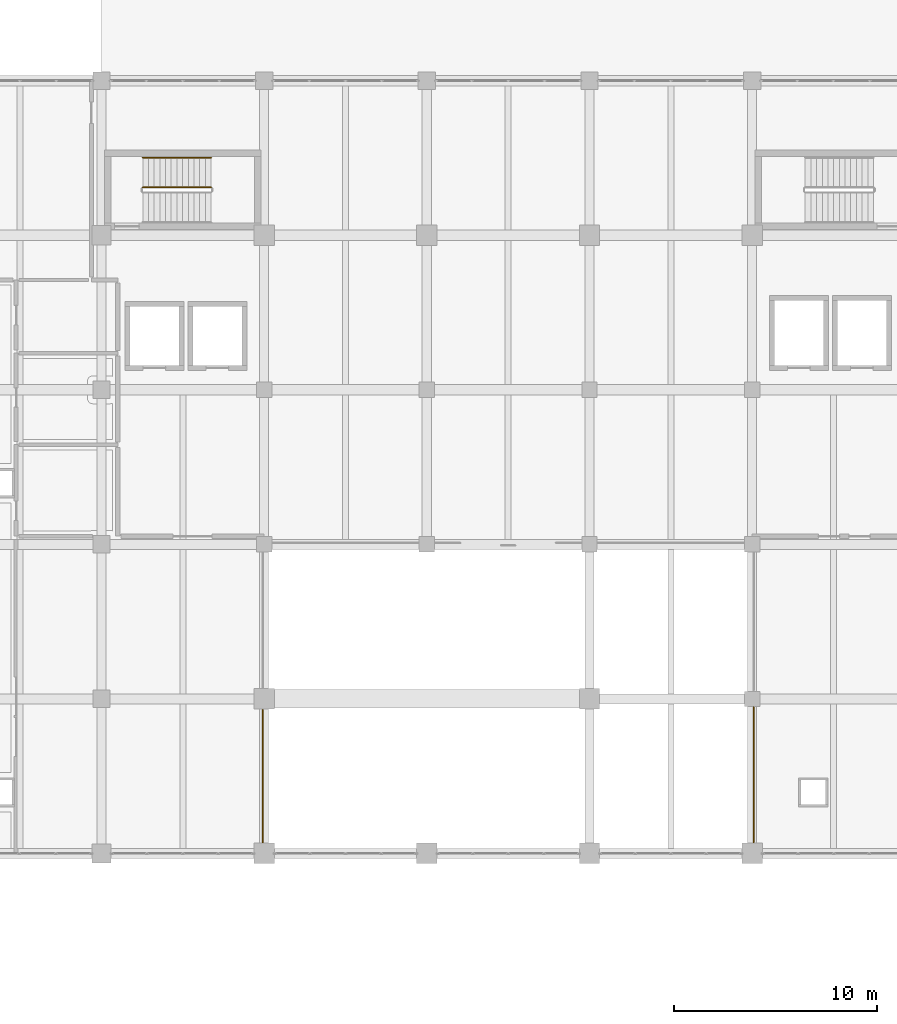
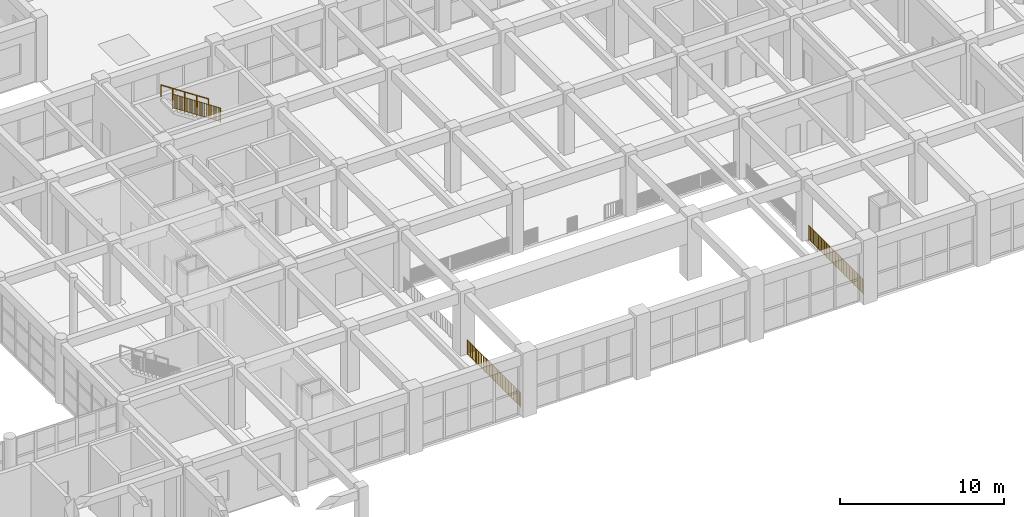
# One storey, part 91 of 101: 4 railings.
"""IFC4 building model written with IfcOpenShell, lengths in metres."""

from ifc_helpers import new_model, si_unit, direction, frame, origin, origin_2d, place, context, subcontext, project, spatial, rectangle, circle, extrude, material, type_object, element, save


model = new_model("IFC4")

# Units and contexts
model_context = context("Model", 3, precision=1e-05, world=origin(), true_north=direction((0.0, 1.0)))
body_context = subcontext(model_context, "Body", "Model", "MODEL_VIEW")
ifc_project = project(units=[si_unit("LENGTHUNIT", "METRE"), si_unit("AREAUNIT", "SQUARE_METRE"), si_unit("VOLUMEUNIT", "CUBIC_METRE"), si_unit("PLANEANGLEUNIT", "RADIAN"), si_unit("MASSUNIT", "GRAM", prefix="KILO")], contexts=[model_context])

# Site, building, storey
site_placement = place(None, origin())
site = spatial("IfcSite", under=ifc_project, at=site_placement, CompositionType="ELEMENT")
building_placement = place(site_placement, origin())
building = spatial("IfcBuilding", under=site, at=building_placement, Name="Zantavel Square City Hall", CompositionType="ELEMENT")
storey_placement = place(building_placement, frame((0.0, 0.0, 5.39990234375)))
storey = spatial("IfcBuildingStorey", under=building, at=storey_placement, Name="L02", CompositionType="ELEMENT", Elevation=5.39990234375)

# Railings
ifc_material_1 = material(Name="Steel ASTM A500 Grade B", Category="steel")
railing_type_1 = type_object("IfcRailingType", Name="Atrium & Gallery Steel Guard Railing 1100mm", PredefinedType="GUARDRAIL", material=ifc_material_1)
railing_1_placement = place(storey_placement, frame((71.929931640625, 37.4599609375, 0.0)))
element("IfcRailing", 1, at=railing_1_placement, inside=storey, type_object=railing_type_1, Name="L02 Atrium Void Guard 010", PredefinedType="GUARDRAIL", context=body_context, shape_type="SweptSolid", body=[
    extrude(circle(Radius=0.02392578125, at=origin_2d()), frame((0.0, 0.0, 1.09619140625), z_axis=(0.0, -1.0, 0.0), x_axis=(1.0, 0.0, 0.0)), (0.0, 0.0, 1.0), 6.52001953125),
    extrude(rectangle(XDim=0.031982421875, YDim=0.031982421875, at=origin_2d()), frame((0.0, 0.0, 0.080078125), z_axis=(0.0, -1.0, 0.0), x_axis=(1.0, 0.0, 0.0)), (0.0, 0.0, 1.0), 6.52001953125),
    extrude(rectangle(XDim=0.02197265625, YDim=0.02197265625, at=origin_2d()), frame((0.0, -0.08935546875, 0.080078125)), (0.0, 0.0, 1.0), 0.991943359375),
    extrude(rectangle(XDim=0.02197265625, YDim=0.02197265625, at=origin_2d()), frame((0.0, -0.1787109375, 0.080078125)), (0.0, 0.0, 1.0), 0.991943359375),
    extrude(rectangle(XDim=0.02197265625, YDim=0.02197265625, at=origin_2d()), frame((0.0, -0.26806640625, 0.080078125)), (0.0, 0.0, 1.0), 0.991943359375),
    extrude(rectangle(XDim=0.02197265625, YDim=0.02197265625, at=origin_2d()), frame((0.0, -0.357177734375, 0.080078125)), (0.0, 0.0, 1.0), 0.991943359375),
    extrude(rectangle(XDim=0.02197265625, YDim=0.02197265625, at=origin_2d()), frame((0.0, -0.446533203125, 0.080078125)), (0.0, 0.0, 1.0), 0.991943359375),
    extrude(rectangle(XDim=0.02197265625, YDim=0.02197265625, at=origin_2d()), frame((0.0, -0.535888671875, 0.080078125)), (0.0, 0.0, 1.0), 0.991943359375),
    extrude(rectangle(XDim=0.02197265625, YDim=0.02197265625, at=origin_2d()), frame((0.0, -0.625244140625, 0.080078125)), (0.0, 0.0, 1.0), 0.991943359375),
    extrude(rectangle(XDim=0.02197265625, YDim=0.02197265625, at=origin_2d()), frame((0.0, -0.714599609375, 0.080078125)), (0.0, 0.0, 1.0), 0.991943359375),
    extrude(rectangle(XDim=0.02197265625, YDim=0.02197265625, at=origin_2d()), frame((0.0, -0.803955078125, 0.080078125)), (0.0, 0.0, 1.0), 0.991943359375),
    extrude(rectangle(XDim=0.02197265625, YDim=0.02197265625, at=origin_2d()), frame((0.0, -0.89306640625, 0.080078125)), (0.0, 0.0, 1.0), 0.991943359375),
    extrude(rectangle(XDim=0.02197265625, YDim=0.02197265625, at=origin_2d()), frame((0.0, -0.982421875, 0.080078125)), (0.0, 0.0, 1.0), 0.991943359375),
    extrude(rectangle(XDim=0.02197265625, YDim=0.02197265625, at=origin_2d()), frame((0.0, -1.1611328125, 0.080078125)), (0.0, 0.0, 1.0), 0.991943359375),
    extrude(rectangle(XDim=0.02197265625, YDim=0.02197265625, at=origin_2d()), frame((0.0, -1.25048828125, 0.080078125)), (0.0, 0.0, 1.0), 0.991943359375),
    extrude(rectangle(XDim=0.02197265625, YDim=0.02197265625, at=origin_2d()), frame((0.0, -1.33984375, 0.080078125)), (0.0, 0.0, 1.0), 0.991943359375),
    extrude(rectangle(XDim=0.02197265625, YDim=0.02197265625, at=origin_2d()), frame((0.0, -1.428955078125, 0.080078125)), (0.0, 0.0, 1.0), 0.991943359375),
    extrude(rectangle(XDim=0.02197265625, YDim=0.02197265625, at=origin_2d()), frame((0.0, -1.518310546875, 0.080078125)), (0.0, 0.0, 1.0), 0.991943359375),
    extrude(rectangle(XDim=0.02197265625, YDim=0.02197265625, at=origin_2d()), frame((0.0, -1.607666015625, 0.080078125)), (0.0, 0.0, 1.0), 0.991943359375),
    extrude(rectangle(XDim=0.02197265625, YDim=0.02197265625, at=origin_2d()), frame((0.0, -1.697021484375, 0.080078125)), (0.0, 0.0, 1.0), 0.991943359375),
    extrude(rectangle(XDim=0.02197265625, YDim=0.02197265625, at=origin_2d()), frame((0.0, -1.786376953125, 0.080078125)), (0.0, 0.0, 1.0), 0.991943359375),
    extrude(rectangle(XDim=0.02197265625, YDim=0.02197265625, at=origin_2d()), frame((0.0, -1.875732421875, 0.080078125)), (0.0, 0.0, 1.0), 0.991943359375),
    extrude(rectangle(XDim=0.02197265625, YDim=0.02197265625, at=origin_2d()), frame((0.0, -1.96484375, 0.080078125)), (0.0, 0.0, 1.0), 0.991943359375),
    extrude(rectangle(XDim=0.02197265625, YDim=0.02197265625, at=origin_2d()), frame((0.0, -2.05419921875, 0.080078125)), (0.0, 0.0, 1.0), 0.991943359375),
    extrude(rectangle(XDim=0.02197265625, YDim=0.02197265625, at=origin_2d()), frame((0.0, -2.23291015625, 0.080078125)), (0.0, 0.0, 1.0), 0.991943359375),
    extrude(rectangle(XDim=0.02197265625, YDim=0.02197265625, at=origin_2d()), frame((0.0, -2.322265625, 0.080078125)), (0.0, 0.0, 1.0), 0.991943359375),
    extrude(rectangle(XDim=0.02197265625, YDim=0.02197265625, at=origin_2d()), frame((0.0, -2.41162109375, 0.080078125)), (0.0, 0.0, 1.0), 0.991943359375),
    extrude(rectangle(XDim=0.02197265625, YDim=0.02197265625, at=origin_2d()), frame((0.0, -2.500732421875, 0.080078125)), (0.0, 0.0, 1.0), 0.991943359375),
    extrude(rectangle(XDim=0.02197265625, YDim=0.02197265625, at=origin_2d()), frame((0.0, -2.590087890625, 0.080078125)), (0.0, 0.0, 1.0), 0.991943359375),
    extrude(rectangle(XDim=0.02197265625, YDim=0.02197265625, at=origin_2d()), frame((0.0, -2.679443359375, 0.080078125)), (0.0, 0.0, 1.0), 0.991943359375),
    extrude(rectangle(XDim=0.02197265625, YDim=0.02197265625, at=origin_2d()), frame((0.0, -2.768798828125, 0.080078125)), (0.0, 0.0, 1.0), 0.991943359375),
    extrude(rectangle(XDim=0.02197265625, YDim=0.02197265625, at=origin_2d()), frame((0.0, -2.858154296875, 0.080078125)), (0.0, 0.0, 1.0), 0.991943359375),
    extrude(rectangle(XDim=0.02197265625, YDim=0.02197265625, at=origin_2d()), frame((0.0, -2.947509765625, 0.080078125)), (0.0, 0.0, 1.0), 0.991943359375),
    extrude(rectangle(XDim=0.02197265625, YDim=0.02197265625, at=origin_2d()), frame((0.0, -3.03662109375, 0.080078125)), (0.0, 0.0, 1.0), 0.991943359375),
    extrude(rectangle(XDim=0.02197265625, YDim=0.02197265625, at=origin_2d()), frame((0.0, -3.1259765625, 0.080078125)), (0.0, 0.0, 1.0), 0.991943359375),
    extrude(rectangle(XDim=0.02197265625, YDim=0.02197265625, at=origin_2d()), frame((0.0, -3.39404296875, 0.080078125)), (0.0, 0.0, 1.0), 0.991943359375),
    extrude(rectangle(XDim=0.02197265625, YDim=0.02197265625, at=origin_2d()), frame((0.0, -3.4833984375, 0.080078125)), (0.0, 0.0, 1.0), 0.991943359375),
    extrude(rectangle(XDim=0.02197265625, YDim=0.02197265625, at=origin_2d()), frame((0.0, -3.572509765625, 0.080078125)), (0.0, 0.0, 1.0), 0.991943359375),
    extrude(rectangle(XDim=0.02197265625, YDim=0.02197265625, at=origin_2d()), frame((0.0, -3.661865234375, 0.080078125)), (0.0, 0.0, 1.0), 0.991943359375),
    extrude(rectangle(XDim=0.02197265625, YDim=0.02197265625, at=origin_2d()), frame((0.0, -3.751220703125, 0.080078125)), (0.0, 0.0, 1.0), 0.991943359375),
    extrude(rectangle(XDim=0.02197265625, YDim=0.02197265625, at=origin_2d()), frame((0.0, -3.840576171875, 0.080078125)), (0.0, 0.0, 1.0), 0.991943359375),
    extrude(rectangle(XDim=0.02197265625, YDim=0.02197265625, at=origin_2d()), frame((0.0, -3.929931640625, 0.080078125)), (0.0, 0.0, 1.0), 0.991943359375),
    extrude(rectangle(XDim=0.02197265625, YDim=0.02197265625, at=origin_2d()), frame((0.0, -4.019287109375, 0.080078125)), (0.0, 0.0, 1.0), 0.991943359375),
    extrude(rectangle(XDim=0.02197265625, YDim=0.02197265625, at=origin_2d()), frame((0.0, -4.1083984375, 0.080078125)), (0.0, 0.0, 1.0), 0.991943359375),
    extrude(rectangle(XDim=0.02197265625, YDim=0.02197265625, at=origin_2d()), frame((0.0, -4.19775390625, 0.080078125)), (0.0, 0.0, 1.0), 0.991943359375),
    extrude(rectangle(XDim=0.02197265625, YDim=0.02197265625, at=origin_2d()), frame((0.0, -4.287109375, 0.080078125)), (0.0, 0.0, 1.0), 0.991943359375),
    extrude(rectangle(XDim=0.02197265625, YDim=0.02197265625, at=origin_2d()), frame((0.0, -4.4658203125, 0.080078125)), (0.0, 0.0, 1.0), 0.991943359375),
    extrude(rectangle(XDim=0.02197265625, YDim=0.02197265625, at=origin_2d()), frame((0.0, -4.55517578125, 0.080078125)), (0.0, 0.0, 1.0), 0.991943359375),
    extrude(rectangle(XDim=0.02197265625, YDim=0.02197265625, at=origin_2d()), frame((0.0, -4.644287109375, 0.080078125)), (0.0, 0.0, 1.0), 0.991943359375),
    extrude(rectangle(XDim=0.02197265625, YDim=0.02197265625, at=origin_2d()), frame((0.0, -4.733642578125, 0.080078125)), (0.0, 0.0, 1.0), 0.991943359375),
    extrude(rectangle(XDim=0.02197265625, YDim=0.02197265625, at=origin_2d()), frame((0.0, -4.822998046875, 0.080078125)), (0.0, 0.0, 1.0), 0.991943359375),
    extrude(rectangle(XDim=0.02197265625, YDim=0.02197265625, at=origin_2d()), frame((0.0, -4.912353515625, 0.080078125)), (0.0, 0.0, 1.0), 0.991943359375),
    extrude(rectangle(XDim=0.02197265625, YDim=0.02197265625, at=origin_2d()), frame((0.0, -5.001708984375, 0.080078125)), (0.0, 0.0, 1.0), 0.991943359375),
    extrude(rectangle(XDim=0.02197265625, YDim=0.02197265625, at=origin_2d()), frame((0.0, -5.091064453125, 0.080078125)), (0.0, 0.0, 1.0), 0.991943359375),
    extrude(rectangle(XDim=0.02197265625, YDim=0.02197265625, at=origin_2d()), frame((0.0, -5.18017578125, 0.080078125)), (0.0, 0.0, 1.0), 0.991943359375),
    extrude(rectangle(XDim=0.02197265625, YDim=0.02197265625, at=origin_2d()), frame((0.0, -5.26953125, 0.080078125)), (0.0, 0.0, 1.0), 0.991943359375),
    extrude(rectangle(XDim=0.02197265625, YDim=0.02197265625, at=origin_2d()), frame((0.0, -5.35888671875, 0.080078125)), (0.0, 0.0, 1.0), 0.991943359375),
    extrude(rectangle(XDim=0.02197265625, YDim=0.02197265625, at=origin_2d()), frame((0.0, -5.53759765625, 0.080078125)), (0.0, 0.0, 1.0), 0.991943359375),
    extrude(rectangle(XDim=0.02197265625, YDim=0.02197265625, at=origin_2d()), frame((0.0, -5.626953125, 0.080078125)), (0.0, 0.0, 1.0), 0.991943359375),
    extrude(rectangle(XDim=0.02197265625, YDim=0.02197265625, at=origin_2d()), frame((0.0, -5.716064453125, 0.080078125)), (0.0, 0.0, 1.0), 0.991943359375),
    extrude(rectangle(XDim=0.02197265625, YDim=0.02197265625, at=origin_2d()), frame((0.0, -5.805419921875, 0.080078125)), (0.0, 0.0, 1.0), 0.991943359375),
    extrude(rectangle(XDim=0.02197265625, YDim=0.02197265625, at=origin_2d()), frame((0.0, -5.894775390625, 0.080078125)), (0.0, 0.0, 1.0), 0.991943359375),
    extrude(rectangle(XDim=0.02197265625, YDim=0.02197265625, at=origin_2d()), frame((0.0, -5.984130859375, 0.080078125)), (0.0, 0.0, 1.0), 0.991943359375),
    extrude(rectangle(XDim=0.02197265625, YDim=0.02197265625, at=origin_2d()), frame((0.0, -6.073486328125, 0.080078125)), (0.0, 0.0, 1.0), 0.991943359375),
    extrude(rectangle(XDim=0.02197265625, YDim=0.02197265625, at=origin_2d()), frame((0.0, -6.162841796875, 0.080078125)), (0.0, 0.0, 1.0), 0.991943359375),
    extrude(rectangle(XDim=0.02197265625, YDim=0.02197265625, at=origin_2d()), frame((0.0, -6.251953125, 0.080078125)), (0.0, 0.0, 1.0), 0.991943359375),
    extrude(rectangle(XDim=0.02197265625, YDim=0.02197265625, at=origin_2d()), frame((0.0, -6.34130859375, 0.080078125)), (0.0, 0.0, 1.0), 0.991943359375),
    extrude(rectangle(XDim=0.02197265625, YDim=0.02197265625, at=origin_2d()), frame((0.0, -6.4306640625, 0.080078125)), (0.0, 0.0, 1.0), 0.991943359375),
    extrude(circle(Radius=0.02099609375, at=origin_2d()), origin(), (0.0, 0.0, 1.0), 1.072021484375),
    extrude(circle(Radius=0.02099609375, at=origin_2d()), frame((0.0, -1.086669921875, 0.0)), (0.0, 0.0, 1.0), 1.072021484375),
    extrude(circle(Radius=0.02099609375, at=origin_2d()), frame((0.0, -2.17333984375, 0.0)), (0.0, 0.0, 1.0), 1.072021484375),
    extrude(circle(Radius=0.02099609375, at=origin_2d()), frame((0.0, -3.260009765625, 0.0)), (0.0, 0.0, 1.0), 1.072021484375),
    extrude(circle(Radius=0.02099609375, at=origin_2d()), frame((0.0, -4.3466796875, 0.0)), (0.0, 0.0, 1.0), 1.072021484375),
    extrude(circle(Radius=0.02099609375, at=origin_2d()), frame((0.0, -5.433349609375, 0.0)), (0.0, 0.0, 1.0), 1.072021484375),
    extrude(circle(Radius=0.02099609375, at=origin_2d()), frame((0.0, -6.52001953125, 0.0)), (0.0, 0.0, 1.0), 1.072021484375),
])
railing_2_placement = place(storey_placement, frame((96.070068359375, 30.93994140625, 0.0)))
element("IfcRailing", 2, at=railing_2_placement, inside=storey, type_object=railing_type_1, Name="L02 Atrium Void Guard 016", PredefinedType="GUARDRAIL", context=body_context, shape_type="SweptSolid", body=[
    extrude(circle(Radius=0.02392578125, at=origin_2d()), frame((0.0, 0.0, 1.09619140625), z_axis=(0.0, 1.0, 0.0), x_axis=(-1.0, 0.0, 0.0)), (0.0, 0.0, 1.0), 6.64501953125),
    extrude(rectangle(XDim=0.031982421875, YDim=0.031982421875, at=origin_2d()), frame((0.0, 0.0, 0.080078125), z_axis=(0.0, 1.0, 0.0), x_axis=(-1.0, 0.0, 0.0)), (0.0, 0.0, 1.0), 6.64501953125),
    extrude(rectangle(XDim=0.02197265625, YDim=0.02197265625, at=origin_2d()), frame((0.0, 0.08984375, 0.080078125)), (0.0, 0.0, 1.0), 0.991943359375),
    extrude(rectangle(XDim=0.02197265625, YDim=0.02197265625, at=origin_2d()), frame((0.0, 0.1796875, 0.080078125)), (0.0, 0.0, 1.0), 0.991943359375),
    extrude(rectangle(XDim=0.02197265625, YDim=0.02197265625, at=origin_2d()), frame((0.0, 0.269287109375, 0.080078125)), (0.0, 0.0, 1.0), 0.991943359375),
    extrude(rectangle(XDim=0.02197265625, YDim=0.02197265625, at=origin_2d()), frame((0.0, 0.359130859375, 0.080078125)), (0.0, 0.0, 1.0), 0.991943359375),
    extrude(rectangle(XDim=0.02197265625, YDim=0.02197265625, at=origin_2d()), frame((0.0, 0.448974609375, 0.080078125)), (0.0, 0.0, 1.0), 0.991943359375),
    extrude(rectangle(XDim=0.02197265625, YDim=0.02197265625, at=origin_2d()), frame((0.0, 0.538818359375, 0.080078125)), (0.0, 0.0, 1.0), 0.991943359375),
    extrude(rectangle(XDim=0.02197265625, YDim=0.02197265625, at=origin_2d()), frame((0.0, 0.628662109375, 0.080078125)), (0.0, 0.0, 1.0), 0.991943359375),
    extrude(rectangle(XDim=0.02197265625, YDim=0.02197265625, at=origin_2d()), frame((0.0, 0.71826171875, 0.080078125)), (0.0, 0.0, 1.0), 0.991943359375),
    extrude(rectangle(XDim=0.02197265625, YDim=0.02197265625, at=origin_2d()), frame((0.0, 0.80810546875, 0.080078125)), (0.0, 0.0, 1.0), 0.991943359375),
    extrude(rectangle(XDim=0.02197265625, YDim=0.02197265625, at=origin_2d()), frame((0.0, 0.89794921875, 0.080078125)), (0.0, 0.0, 1.0), 0.991943359375),
    extrude(rectangle(XDim=0.02197265625, YDim=0.02197265625, at=origin_2d()), frame((0.0, 0.98779296875, 0.080078125)), (0.0, 0.0, 1.0), 0.991943359375),
    extrude(rectangle(XDim=0.02197265625, YDim=0.02197265625, at=origin_2d()), frame((0.0, 1.16748046875, 0.080078125)), (0.0, 0.0, 1.0), 0.991943359375),
    extrude(rectangle(XDim=0.02197265625, YDim=0.02197265625, at=origin_2d()), frame((0.0, 1.257080078125, 0.080078125)), (0.0, 0.0, 1.0), 0.991943359375),
    extrude(rectangle(XDim=0.02197265625, YDim=0.02197265625, at=origin_2d()), frame((0.0, 1.346923828125, 0.080078125)), (0.0, 0.0, 1.0), 0.991943359375),
    extrude(rectangle(XDim=0.02197265625, YDim=0.02197265625, at=origin_2d()), frame((0.0, 1.436767578125, 0.080078125)), (0.0, 0.0, 1.0), 0.991943359375),
    extrude(rectangle(XDim=0.02197265625, YDim=0.02197265625, at=origin_2d()), frame((0.0, 1.526611328125, 0.080078125)), (0.0, 0.0, 1.0), 0.991943359375),
    extrude(rectangle(XDim=0.02197265625, YDim=0.02197265625, at=origin_2d()), frame((0.0, 1.616455078125, 0.080078125)), (0.0, 0.0, 1.0), 0.991943359375),
    extrude(rectangle(XDim=0.02197265625, YDim=0.02197265625, at=origin_2d()), frame((0.0, 1.7060546875, 0.080078125)), (0.0, 0.0, 1.0), 0.991943359375),
    extrude(rectangle(XDim=0.02197265625, YDim=0.02197265625, at=origin_2d()), frame((0.0, 1.7958984375, 0.080078125)), (0.0, 0.0, 1.0), 0.991943359375),
    extrude(rectangle(XDim=0.02197265625, YDim=0.02197265625, at=origin_2d()), frame((0.0, 1.8857421875, 0.080078125)), (0.0, 0.0, 1.0), 0.991943359375),
    extrude(rectangle(XDim=0.02197265625, YDim=0.02197265625, at=origin_2d()), frame((0.0, 1.9755859375, 0.080078125)), (0.0, 0.0, 1.0), 0.991943359375),
    extrude(rectangle(XDim=0.02197265625, YDim=0.02197265625, at=origin_2d()), frame((0.0, 2.0654296875, 0.080078125)), (0.0, 0.0, 1.0), 0.991943359375),
    extrude(rectangle(XDim=0.02197265625, YDim=0.02197265625, at=origin_2d()), frame((0.0, 2.155029296875, 0.080078125)), (0.0, 0.0, 1.0), 0.991943359375),
    extrude(rectangle(XDim=0.02197265625, YDim=0.02197265625, at=origin_2d()), frame((0.0, 2.334716796875, 0.080078125)), (0.0, 0.0, 1.0), 0.991943359375),
    extrude(rectangle(XDim=0.02197265625, YDim=0.02197265625, at=origin_2d()), frame((0.0, 2.424560546875, 0.080078125)), (0.0, 0.0, 1.0), 0.991943359375),
    extrude(rectangle(XDim=0.02197265625, YDim=0.02197265625, at=origin_2d()), frame((0.0, 2.514404296875, 0.080078125)), (0.0, 0.0, 1.0), 0.991943359375),
    extrude(rectangle(XDim=0.02197265625, YDim=0.02197265625, at=origin_2d()), frame((0.0, 2.604248046875, 0.080078125)), (0.0, 0.0, 1.0), 0.991943359375),
    extrude(rectangle(XDim=0.02197265625, YDim=0.02197265625, at=origin_2d()), frame((0.0, 2.69384765625, 0.080078125)), (0.0, 0.0, 1.0), 0.991943359375),
    extrude(rectangle(XDim=0.02197265625, YDim=0.02197265625, at=origin_2d()), frame((0.0, 2.78369140625, 0.080078125)), (0.0, 0.0, 1.0), 0.991943359375),
    extrude(rectangle(XDim=0.02197265625, YDim=0.02197265625, at=origin_2d()), frame((0.0, 2.87353515625, 0.080078125)), (0.0, 0.0, 1.0), 0.991943359375),
    extrude(rectangle(XDim=0.02197265625, YDim=0.02197265625, at=origin_2d()), frame((0.0, 2.96337890625, 0.080078125)), (0.0, 0.0, 1.0), 0.991943359375),
    extrude(rectangle(XDim=0.02197265625, YDim=0.02197265625, at=origin_2d()), frame((0.0, 3.05322265625, 0.080078125)), (0.0, 0.0, 1.0), 0.991943359375),
    extrude(rectangle(XDim=0.02197265625, YDim=0.02197265625, at=origin_2d()), frame((0.0, 3.142822265625, 0.080078125)), (0.0, 0.0, 1.0), 0.991943359375),
    extrude(rectangle(XDim=0.02197265625, YDim=0.02197265625, at=origin_2d()), frame((0.0, 3.232666015625, 0.080078125)), (0.0, 0.0, 1.0), 0.991943359375),
    extrude(rectangle(XDim=0.02197265625, YDim=0.02197265625, at=origin_2d()), frame((0.0, 3.412353515625, 0.080078125)), (0.0, 0.0, 1.0), 0.991943359375),
    extrude(rectangle(XDim=0.02197265625, YDim=0.02197265625, at=origin_2d()), frame((0.0, 3.502197265625, 0.080078125)), (0.0, 0.0, 1.0), 0.991943359375),
    extrude(rectangle(XDim=0.02197265625, YDim=0.02197265625, at=origin_2d()), frame((0.0, 3.591796875, 0.080078125)), (0.0, 0.0, 1.0), 0.991943359375),
    extrude(rectangle(XDim=0.02197265625, YDim=0.02197265625, at=origin_2d()), frame((0.0, 3.681640625, 0.080078125)), (0.0, 0.0, 1.0), 0.991943359375),
    extrude(rectangle(XDim=0.02197265625, YDim=0.02197265625, at=origin_2d()), frame((0.0, 3.771484375, 0.080078125)), (0.0, 0.0, 1.0), 0.991943359375),
    extrude(rectangle(XDim=0.02197265625, YDim=0.02197265625, at=origin_2d()), frame((0.0, 3.861328125, 0.080078125)), (0.0, 0.0, 1.0), 0.991943359375),
    extrude(rectangle(XDim=0.02197265625, YDim=0.02197265625, at=origin_2d()), frame((0.0, 3.951171875, 0.080078125)), (0.0, 0.0, 1.0), 0.991943359375),
    extrude(rectangle(XDim=0.02197265625, YDim=0.02197265625, at=origin_2d()), frame((0.0, 4.040771484375, 0.080078125)), (0.0, 0.0, 1.0), 0.991943359375),
    extrude(rectangle(XDim=0.02197265625, YDim=0.02197265625, at=origin_2d()), frame((0.0, 4.130615234375, 0.080078125)), (0.0, 0.0, 1.0), 0.991943359375),
    extrude(rectangle(XDim=0.02197265625, YDim=0.02197265625, at=origin_2d()), frame((0.0, 4.220458984375, 0.080078125)), (0.0, 0.0, 1.0), 0.991943359375),
    extrude(rectangle(XDim=0.02197265625, YDim=0.02197265625, at=origin_2d()), frame((0.0, 4.310302734375, 0.080078125)), (0.0, 0.0, 1.0), 0.991943359375),
    extrude(rectangle(XDim=0.02197265625, YDim=0.02197265625, at=origin_2d()), frame((0.0, 4.489990234375, 0.080078125)), (0.0, 0.0, 1.0), 0.991943359375),
    extrude(rectangle(XDim=0.02197265625, YDim=0.02197265625, at=origin_2d()), frame((0.0, 4.57958984375, 0.080078125)), (0.0, 0.0, 1.0), 0.991943359375),
    extrude(rectangle(XDim=0.02197265625, YDim=0.02197265625, at=origin_2d()), frame((0.0, 4.66943359375, 0.080078125)), (0.0, 0.0, 1.0), 0.991943359375),
    extrude(rectangle(XDim=0.02197265625, YDim=0.02197265625, at=origin_2d()), frame((0.0, 4.75927734375, 0.080078125)), (0.0, 0.0, 1.0), 0.991943359375),
    extrude(rectangle(XDim=0.02197265625, YDim=0.02197265625, at=origin_2d()), frame((0.0, 4.84912109375, 0.080078125)), (0.0, 0.0, 1.0), 0.991943359375),
    extrude(rectangle(XDim=0.02197265625, YDim=0.02197265625, at=origin_2d()), frame((0.0, 4.93896484375, 0.080078125)), (0.0, 0.0, 1.0), 0.991943359375),
    extrude(rectangle(XDim=0.02197265625, YDim=0.02197265625, at=origin_2d()), frame((0.0, 5.028564453125, 0.080078125)), (0.0, 0.0, 1.0), 0.991943359375),
    extrude(rectangle(XDim=0.02197265625, YDim=0.02197265625, at=origin_2d()), frame((0.0, 5.118408203125, 0.080078125)), (0.0, 0.0, 1.0), 0.991943359375),
    extrude(rectangle(XDim=0.02197265625, YDim=0.02197265625, at=origin_2d()), frame((0.0, 5.208251953125, 0.080078125)), (0.0, 0.0, 1.0), 0.991943359375),
    extrude(rectangle(XDim=0.02197265625, YDim=0.02197265625, at=origin_2d()), frame((0.0, 5.298095703125, 0.080078125)), (0.0, 0.0, 1.0), 0.991943359375),
    extrude(rectangle(XDim=0.02197265625, YDim=0.02197265625, at=origin_2d()), frame((0.0, 5.387939453125, 0.080078125)), (0.0, 0.0, 1.0), 0.991943359375),
    extrude(rectangle(XDim=0.02197265625, YDim=0.02197265625, at=origin_2d()), frame((0.0, 5.4775390625, 0.080078125)), (0.0, 0.0, 1.0), 0.991943359375),
    extrude(rectangle(XDim=0.02197265625, YDim=0.02197265625, at=origin_2d()), frame((0.0, 5.6572265625, 0.080078125)), (0.0, 0.0, 1.0), 0.991943359375),
    extrude(rectangle(XDim=0.02197265625, YDim=0.02197265625, at=origin_2d()), frame((0.0, 5.7470703125, 0.080078125)), (0.0, 0.0, 1.0), 0.991943359375),
    extrude(rectangle(XDim=0.02197265625, YDim=0.02197265625, at=origin_2d()), frame((0.0, 5.8369140625, 0.080078125)), (0.0, 0.0, 1.0), 0.991943359375),
    extrude(rectangle(XDim=0.02197265625, YDim=0.02197265625, at=origin_2d()), frame((0.0, 5.9267578125, 0.080078125)), (0.0, 0.0, 1.0), 0.991943359375),
    extrude(rectangle(XDim=0.02197265625, YDim=0.02197265625, at=origin_2d()), frame((0.0, 6.016357421875, 0.080078125)), (0.0, 0.0, 1.0), 0.991943359375),
    extrude(rectangle(XDim=0.02197265625, YDim=0.02197265625, at=origin_2d()), frame((0.0, 6.106201171875, 0.080078125)), (0.0, 0.0, 1.0), 0.991943359375),
    extrude(rectangle(XDim=0.02197265625, YDim=0.02197265625, at=origin_2d()), frame((0.0, 6.196044921875, 0.080078125)), (0.0, 0.0, 1.0), 0.991943359375),
    extrude(rectangle(XDim=0.02197265625, YDim=0.02197265625, at=origin_2d()), frame((0.0, 6.285888671875, 0.080078125)), (0.0, 0.0, 1.0), 0.991943359375),
    extrude(rectangle(XDim=0.02197265625, YDim=0.02197265625, at=origin_2d()), frame((0.0, 6.375732421875, 0.080078125)), (0.0, 0.0, 1.0), 0.991943359375),
    extrude(rectangle(XDim=0.02197265625, YDim=0.02197265625, at=origin_2d()), frame((0.0, 6.46533203125, 0.080078125)), (0.0, 0.0, 1.0), 0.991943359375),
    extrude(rectangle(XDim=0.02197265625, YDim=0.02197265625, at=origin_2d()), frame((0.0, 6.55517578125, 0.080078125)), (0.0, 0.0, 1.0), 0.991943359375),
    extrude(circle(Radius=0.02099609375, at=origin_2d()), origin(), (0.0, 0.0, 1.0), 1.072021484375),
    extrude(circle(Radius=0.02099609375, at=origin_2d()), frame((0.0, 1.107421875, 0.0)), (0.0, 0.0, 1.0), 1.072021484375),
    extrude(circle(Radius=0.02099609375, at=origin_2d()), frame((0.0, 2.215087890625, 0.0)), (0.0, 0.0, 1.0), 1.072021484375),
    extrude(circle(Radius=0.02099609375, at=origin_2d()), frame((0.0, 3.322509765625, 0.0)), (0.0, 0.0, 1.0), 1.072021484375),
    extrude(circle(Radius=0.02099609375, at=origin_2d()), frame((0.0, 4.429931640625, 0.0)), (0.0, 0.0, 1.0), 1.072021484375),
    extrude(circle(Radius=0.02099609375, at=origin_2d()), frame((0.0, 5.53759765625, 0.0)), (0.0, 0.0, 1.0), 1.072021484375),
    extrude(circle(Radius=0.02099609375, at=origin_2d()), frame((0.0, 6.64501953125, 0.0)), (0.0, 0.0, 1.0), 1.072021484375),
])
railing_3_placement = place(storey_placement, frame((69.389892578125, 63.159912109375, 2.584716796875)))
element("IfcRailing", 3, at=railing_3_placement, inside=storey, type_object=railing_type_1, Name="L02 ST5 stair guard 3", PredefinedType="GUARDRAIL", context=body_context, shape_type="SweptSolid", body=[
    extrude(circle(Radius=0.02392578125, at=origin_2d()), frame((0.0, 0.0, 1.076171875), z_axis=(-0.834858096282, 0.0, 0.550465220583), x_axis=(0.0, -1.0, 0.0)), (0.0, 0.0, 1.0), 4.0244140625),
    extrude(rectangle(XDim=0.031982421875, YDim=0.031982421875, at=origin_2d()), frame((0.0, 0.0, 0.080078125), z_axis=(-0.834858096282, 0.0, 0.550465220583), x_axis=(0.0, -1.0, 0.0)), (0.0, 0.0, 1.0), 4.0244140625),
    extrude(rectangle(XDim=0.02197265625, YDim=0.02197265625, at=origin_2d()), frame((-0.08837890625, 0.0, 0.13818359375)), (0.0, 0.0, 1.0), 0.971923828125),
    extrude(rectangle(XDim=0.02197265625, YDim=0.02197265625, at=origin_2d()), frame((-0.1767578125, 0.0, 0.196533203125)), (0.0, 0.0, 1.0), 0.971923828125),
    extrude(rectangle(XDim=0.02197265625, YDim=0.02197265625, at=origin_2d()), frame((-0.26513671875, 0.0, 0.2548828125)), (0.0, 0.0, 1.0), 0.971923828125),
    extrude(rectangle(XDim=0.02197265625, YDim=0.02197265625, at=origin_2d()), frame((-0.353759765625, 0.0, 0.313232421875)), (0.0, 0.0, 1.0), 0.971923828125),
    extrude(rectangle(XDim=0.02197265625, YDim=0.02197265625, at=origin_2d()), frame((-0.442138671875, 0.0, 0.37158203125)), (0.0, 0.0, 1.0), 0.971923828125),
    extrude(rectangle(XDim=0.02197265625, YDim=0.02197265625, at=origin_2d()), frame((-0.530517578125, 0.0, 0.4296875)), (0.0, 0.0, 1.0), 0.971923828125),
    extrude(rectangle(XDim=0.02197265625, YDim=0.02197265625, at=origin_2d()), frame((-0.618896484375, 0.0, 0.488037109375)), (0.0, 0.0, 1.0), 0.971923828125),
    extrude(rectangle(XDim=0.02197265625, YDim=0.02197265625, at=origin_2d()), frame((-0.707275390625, 0.0, 0.54638671875)), (0.0, 0.0, 1.0), 0.971923828125),
    extrude(rectangle(XDim=0.02197265625, YDim=0.02197265625, at=origin_2d()), frame((-0.795654296875, 0.0, 0.604736328125)), (0.0, 0.0, 1.0), 0.971923828125),
    extrude(rectangle(XDim=0.02197265625, YDim=0.02197265625, at=origin_2d()), frame((-0.88427734375, 0.0, 0.6630859375)), (0.0, 0.0, 1.0), 0.971923828125),
    extrude(rectangle(XDim=0.02197265625, YDim=0.02197265625, at=origin_2d()), frame((-0.97265625, 0.0, 0.72119140625)), (0.0, 0.0, 1.0), 0.971923828125),
    extrude(rectangle(XDim=0.02197265625, YDim=0.02197265625, at=origin_2d()), frame((-1.06103515625, 0.0, 0.779541015625)), (0.0, 0.0, 1.0), 0.971923828125),
    extrude(rectangle(XDim=0.02197265625, YDim=0.02197265625, at=origin_2d()), frame((-1.1494140625, 0.0, 0.837890625)), (0.0, 0.0, 1.0), 0.971923828125),
    extrude(rectangle(XDim=0.02197265625, YDim=0.02197265625, at=origin_2d()), frame((-1.23779296875, 0.0, 0.896240234375)), (0.0, 0.0, 1.0), 0.971923828125),
    extrude(rectangle(XDim=0.02197265625, YDim=0.02197265625, at=origin_2d()), frame((-1.326171875, 0.0, 0.95458984375)), (0.0, 0.0, 1.0), 0.971923828125),
    extrude(rectangle(XDim=0.02197265625, YDim=0.02197265625, at=origin_2d()), frame((-1.414794921875, 0.0, 1.0126953125)), (0.0, 0.0, 1.0), 0.971923828125),
    extrude(rectangle(XDim=0.02197265625, YDim=0.02197265625, at=origin_2d()), frame((-1.503173828125, 0.0, 1.071044921875)), (0.0, 0.0, 1.0), 0.971923828125),
    extrude(rectangle(XDim=0.02197265625, YDim=0.02197265625, at=origin_2d()), frame((-1.591552734375, 0.0, 1.12939453125)), (0.0, 0.0, 1.0), 0.971923828125),
    extrude(rectangle(XDim=0.02197265625, YDim=0.02197265625, at=origin_2d()), frame((-1.768310546875, 0.0, 1.245849609375)), (0.0, 0.0, 1.0), 0.971923828125),
    extrude(rectangle(XDim=0.02197265625, YDim=0.02197265625, at=origin_2d()), frame((-1.856689453125, 0.0, 1.30419921875)), (0.0, 0.0, 1.0), 0.971923828125),
    extrude(rectangle(XDim=0.02197265625, YDim=0.02197265625, at=origin_2d()), frame((-1.945068359375, 0.0, 1.362548828125)), (0.0, 0.0, 1.0), 0.971923828125),
    extrude(rectangle(XDim=0.02197265625, YDim=0.02197265625, at=origin_2d()), frame((-2.03369140625, 0.0, 1.4208984375)), (0.0, 0.0, 1.0), 0.971923828125),
    extrude(rectangle(XDim=0.02197265625, YDim=0.02197265625, at=origin_2d()), frame((-2.1220703125, 0.0, 1.479248046875)), (0.0, 0.0, 1.0), 0.971923828125),
    extrude(rectangle(XDim=0.02197265625, YDim=0.02197265625, at=origin_2d()), frame((-2.21044921875, 0.0, 1.537353515625)), (0.0, 0.0, 1.0), 0.971923828125),
    extrude(rectangle(XDim=0.02197265625, YDim=0.02197265625, at=origin_2d()), frame((-2.298828125, 0.0, 1.595703125)), (0.0, 0.0, 1.0), 0.971923828125),
    extrude(rectangle(XDim=0.02197265625, YDim=0.02197265625, at=origin_2d()), frame((-2.38720703125, 0.0, 1.654052734375)), (0.0, 0.0, 1.0), 0.971923828125),
    extrude(rectangle(XDim=0.02197265625, YDim=0.02197265625, at=origin_2d()), frame((-2.4755859375, 0.0, 1.71240234375)), (0.0, 0.0, 1.0), 0.971923828125),
    extrude(rectangle(XDim=0.02197265625, YDim=0.02197265625, at=origin_2d()), frame((-2.564208984375, 0.0, 1.770751953125)), (0.0, 0.0, 1.0), 0.971923828125),
    extrude(rectangle(XDim=0.02197265625, YDim=0.02197265625, at=origin_2d()), frame((-2.652587890625, 0.0, 1.828857421875)), (0.0, 0.0, 1.0), 0.971923828125),
    extrude(rectangle(XDim=0.02197265625, YDim=0.02197265625, at=origin_2d()), frame((-2.740966796875, 0.0, 1.88720703125)), (0.0, 0.0, 1.0), 0.971923828125),
    extrude(rectangle(XDim=0.02197265625, YDim=0.02197265625, at=origin_2d()), frame((-2.829345703125, 0.0, 1.945556640625)), (0.0, 0.0, 1.0), 0.971923828125),
    extrude(rectangle(XDim=0.02197265625, YDim=0.02197265625, at=origin_2d()), frame((-2.917724609375, 0.0, 2.00390625)), (0.0, 0.0, 1.0), 0.971923828125),
    extrude(rectangle(XDim=0.02197265625, YDim=0.02197265625, at=origin_2d()), frame((-3.006103515625, 0.0, 2.062255859375)), (0.0, 0.0, 1.0), 0.971923828125),
    extrude(rectangle(XDim=0.02197265625, YDim=0.02197265625, at=origin_2d()), frame((-3.0947265625, 0.0, 2.120361328125)), (0.0, 0.0, 1.0), 0.971923828125),
    extrude(rectangle(XDim=0.02197265625, YDim=0.02197265625, at=origin_2d()), frame((-3.18310546875, 0.0, 2.1787109375)), (0.0, 0.0, 1.0), 0.971923828125),
    extrude(rectangle(XDim=0.02197265625, YDim=0.02197265625, at=origin_2d()), frame((-3.271484375, 0.0, 2.237060546875)), (0.0, 0.0, 1.0), 0.971923828125),
    extrude(circle(Radius=0.02099609375, at=origin_2d()), origin(), (0.0, 0.0, 1.0), 1.052001953125),
    extrude(circle(Radius=0.02099609375, at=origin_2d()), frame((-0.83984375, 0.0, 0.5537109375)), (0.0, 0.0, 1.0), 1.052001953125),
    extrude(circle(Radius=0.02099609375, at=origin_2d()), frame((-1.679931640625, 0.0, 1.107666015625)), (0.0, 0.0, 1.0), 1.052001953125),
    extrude(circle(Radius=0.02099609375, at=origin_2d()), frame((-2.52001953125, 0.0, 1.66162109375)), (0.0, 0.0, 1.0), 1.052001953125),
    extrude(circle(Radius=0.02099609375, at=origin_2d()), frame((-3.35986328125, 0.0, 2.21533203125)), (0.0, 0.0, 1.0), 1.052001953125),
])
ifc_material_2 = material(Name="Stainless steel 316", Category="steel")
railing_type_2 = type_object("IfcRailingType", Name="Stair Stainless Steel Handrail 900mm", PredefinedType="HANDRAIL", material=ifc_material_2)
railing_4_placement = place(storey_placement, frame((69.389892578125, 64.6201171875, 2.584716796875)))
element("IfcRailing", 4, at=railing_4_placement, inside=storey, type_object=railing_type_2, Name="L02 ST5 stair handrail 2", PredefinedType="HANDRAIL", context=body_context, shape_type="SweptSolid", body=[
    extrude(circle(Radius=0.02392578125, at=origin_2d()), frame((0.0, 0.0, 0.8759765625), z_axis=(-0.834858096282, 0.0, 0.550465220583), x_axis=(0.0, -1.0, 0.0)), (0.0, 0.0, 1.0), 4.0244140625),
    extrude(circle(Radius=0.02099609375, at=origin_2d()), origin(), (0.0, 0.0, 1.0), 0.851806640625),
    extrude(circle(Radius=0.02099609375, at=origin_2d()), frame((-0.83984375, 0.0, 0.5537109375)), (0.0, 0.0, 1.0), 0.851806640625),
    extrude(circle(Radius=0.02099609375, at=origin_2d()), frame((-1.679931640625, 0.0, 1.107666015625)), (0.0, 0.0, 1.0), 0.851806640625),
    extrude(circle(Radius=0.02099609375, at=origin_2d()), frame((-2.52001953125, 0.0, 1.66162109375)), (0.0, 0.0, 1.0), 0.851806640625),
    extrude(circle(Radius=0.02099609375, at=origin_2d()), frame((-3.35986328125, 0.0, 2.21533203125)), (0.0, 0.0, 1.0), 0.851806640625),
])

save(model, "model.ifc")
